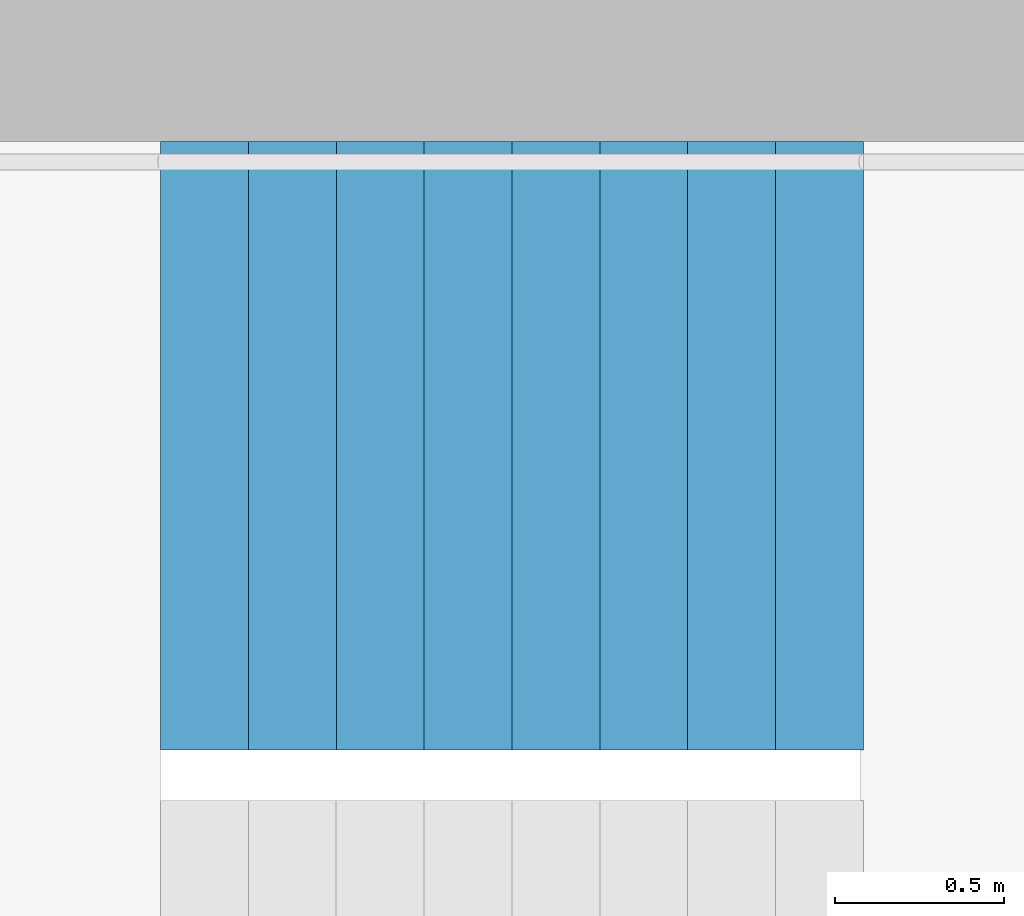
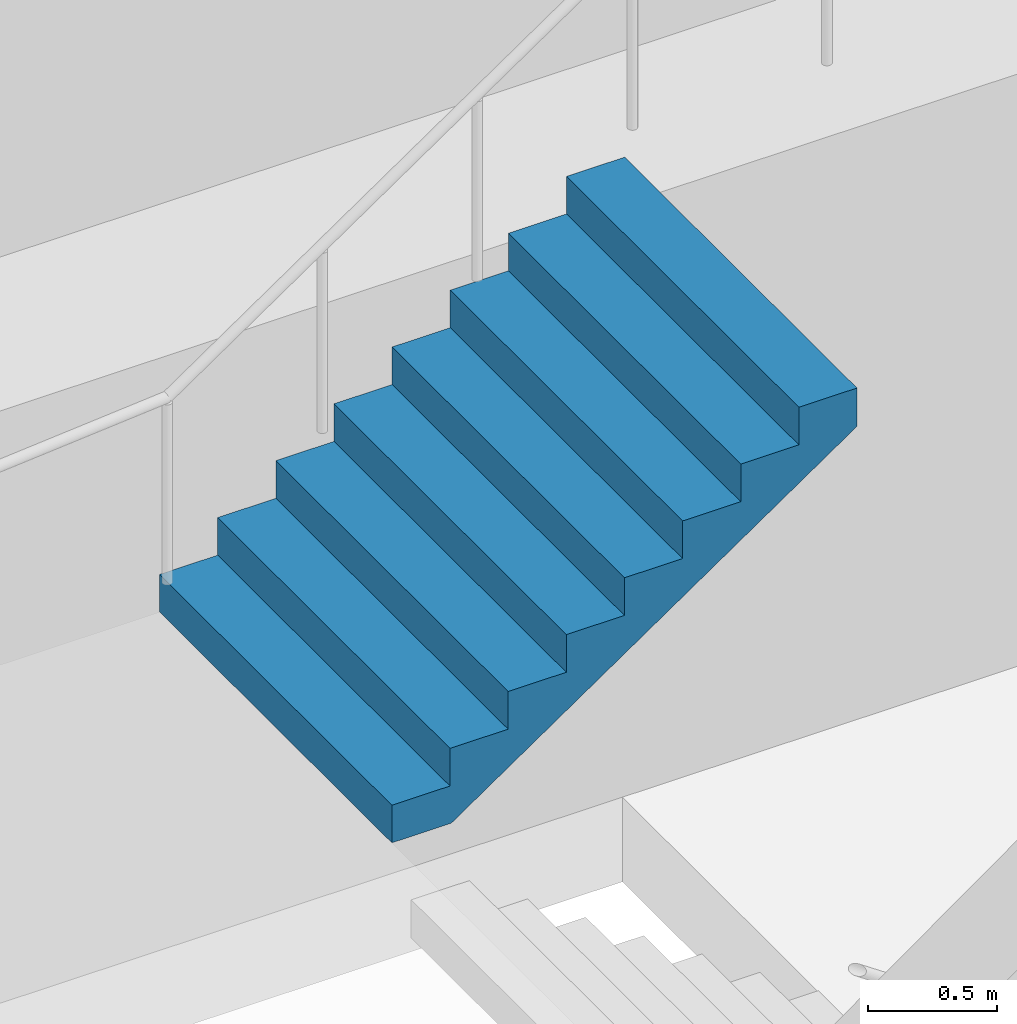
# One storey, part 28 of 29: 1 stair flight, 1 element without a shape of its own.
"""IFC4 building model written with IfcOpenShell, lengths in metres."""

from ifc_helpers import new_model, si_unit, direction, frame, origin, place, context, subcontext, project, spatial, triangles, material, type_object, element, aggregate, save


model = new_model("IFC4")

# Units and contexts
model_context = context("Model", 3, precision=1e-05, world=origin(), true_north=direction((0.0, 1.0)))
body_context = subcontext(model_context, "Body", "Model", "MODEL_VIEW")
ifc_project = project(units=[si_unit("LENGTHUNIT", "METRE"), si_unit("AREAUNIT", "SQUARE_METRE"), si_unit("VOLUMEUNIT", "CUBIC_METRE"), si_unit("PLANEANGLEUNIT", "RADIAN"), si_unit("MASSUNIT", "GRAM", prefix="KILO")], contexts=[model_context])

# Site, building, storey
site_placement = place(None, origin())
site = spatial("IfcSite", under=ifc_project, at=site_placement, CompositionType="ELEMENT")
building_placement = place(site_placement, origin())
building = spatial("IfcBuilding", under=site, at=building_placement, Name="Hakoniwa Tower and Hamabe Station Hall", CompositionType="ELEMENT")
storey_placement = place(building_placement, frame((0.0, 0.0, 29.39990234375)))
storey = spatial("IfcBuildingStorey", under=building, at=storey_placement, Name="L07", CompositionType="ELEMENT", Elevation=29.39990234375)

# Stair, stair flight
ifc_material_1 = material(Name="Concrete C40", Category="concrete")
stair_type = type_object("IfcStairType", Name="ESCAPE STAIR 1800", PredefinedType="HALF_TURN_STAIR", material=ifc_material_1)
stair_placement = place(storey_placement, origin())
stair = element("IfcStair", 1, at=stair_placement, inside=storey, type_object=stair_type, Name="Escape stair ST-3 L07", PredefinedType="HALF_TURN_STAIR")
ifc_material_2 = material(Name="Concrete C40", Category="concrete")
stair_flight_type = type_object("IfcStairFlightType", Name="STAIR FLIGHT 1800", PredefinedType="STRAIGHT", material=ifc_material_2)
stair_flight_placement = place(storey_placement, frame((22.320068359375, 6.60009765625, 1.60009765625), z_axis=(0.0, 0.0, 1.0), x_axis=(1.0, 0.0, 0.0)))
stair_flight = element("IfcStairFlight", 2, at=stair_flight_placement, type_object=stair_flight_type, Name="ST-3 flight 2", NumberOfRisers=9, NumberOfTreads=8, PredefinedType="STRAIGHT", RiserHeight=0.177777778, TreadLength=0.26, context=body_context, shape_type="Tessellation", body=[
    triangles([(0.0, 0.89990234375, 0.0), (0.260009765625, 0.89990234375, 0.0), (0.265625, 0.89990234375, 0.0), (0.52001953125, 0.89990234375, 0.174072265625), (0.780029296875, 0.89990234375, 0.351806640625), (1.0400390625, 0.89990234375, 0.529541015625), (1.300048828125, 0.89990234375, 0.707275390625), (1.56005859375, 0.89990234375, 0.885009765625), (1.820068359375, 0.89990234375, 1.062744140625), (2.080078125, 0.89990234375, 1.24072265625), (2.080078125, 0.89990234375, 1.422119140625), (1.820068359375, 0.89990234375, 1.422119140625), (1.820068359375, 0.89990234375, 1.244384765625), (1.56005859375, 0.89990234375, 1.244384765625), (1.56005859375, 0.89990234375, 1.066650390625), (1.300048828125, 0.89990234375, 1.066650390625), (1.300048828125, 0.89990234375, 0.888916015625), (1.0400390625, 0.89990234375, 0.888916015625), (1.0400390625, 0.89990234375, 0.711181640625), (0.780029296875, 0.89990234375, 0.711181640625), (0.780029296875, 0.89990234375, 0.533447265625), (0.52001953125, 0.89990234375, 0.533447265625), (0.52001953125, 0.89990234375, 0.35546875), (0.265625, 0.89990234375, 0.35546875), (0.260009765625, 0.89990234375, 0.35546875), (0.260009765625, 0.89990234375, 0.177734375), (0.0, 0.89990234375, 0.177734375), (0.0, 0.06005859375, 0.0), (0.260009765625, 0.06005859375, 0.0), (0.265625, 0.06005859375, 0.0), (0.52001953125, 0.06005859375, 0.174072265625), (0.780029296875, 0.06005859375, 0.351806640625), (1.0400390625, 0.06005859375, 0.529541015625), (1.300048828125, 0.06005859375, 0.707275390625), (1.56005859375, 0.06005859375, 0.885009765625), (1.820068359375, 0.06005859375, 1.062744140625), (2.080078125, 0.06005859375, 1.24072265625), (2.080078125, 0.06005859375, 1.422119140625), (1.820068359375, 0.06005859375, 1.422119140625), (1.820068359375, 0.06005859375, 1.244384765625), (1.56005859375, 0.06005859375, 1.244384765625), (1.56005859375, 0.06005859375, 1.066650390625), (1.300048828125, 0.06005859375, 1.066650390625), (1.300048828125, 0.06005859375, 0.888916015625), (1.0400390625, 0.06005859375, 0.888916015625), (1.0400390625, 0.06005859375, 0.711181640625), (0.780029296875, 0.06005859375, 0.711181640625), (0.780029296875, 0.06005859375, 0.533447265625), (0.52001953125, 0.06005859375, 0.533447265625), (0.52001953125, 0.06005859375, 0.35546875), (0.265625, 0.06005859375, 0.35546875), (0.260009765625, 0.06005859375, 0.35546875), (0.260009765625, 0.06005859375, 0.177734375), (0.0, 0.06005859375, 0.177734375), (0.0, 0.04296875, 0.0), (0.260009765625, 0.04296875, 0.0), (0.265625, 0.04296875, 0.0), (0.52001953125, 0.04296875, 0.174072265625), (0.780029296875, 0.04296875, 0.351806640625), (1.0400390625, 0.04296875, 0.529541015625), (1.300048828125, 0.04296875, 0.707275390625), (1.56005859375, 0.04296875, 0.885009765625), (1.820068359375, 0.04296875, 1.062744140625), (2.080078125, 0.04296875, 1.24072265625), (2.080078125, 0.04296875, 1.422119140625), (1.820068359375, 0.04296875, 1.422119140625), (1.820068359375, 0.04296875, 1.244384765625), (1.56005859375, 0.04296875, 1.244384765625), (1.56005859375, 0.04296875, 1.066650390625), (1.300048828125, 0.04296875, 1.066650390625), (1.300048828125, 0.04296875, 0.888916015625), (1.0400390625, 0.04296875, 0.888916015625), (1.0400390625, 0.04296875, 0.711181640625), (0.780029296875, 0.04296875, 0.711181640625), (0.780029296875, 0.04296875, 0.533447265625), (0.52001953125, 0.04296875, 0.533447265625), (0.52001953125, 0.04296875, 0.35546875), (0.265625, 0.04296875, 0.35546875), (0.260009765625, 0.04296875, 0.35546875), (0.260009765625, 0.04296875, 0.177734375), (0.0, 0.04296875, 0.177734375), (0.0, 0.025634765625, 0.0), (0.260009765625, 0.025634765625, 0.0), (0.265625, 0.025634765625, 0.0), (0.52001953125, 0.025634765625, 0.174072265625), (0.780029296875, 0.025634765625, 0.351806640625), (1.0400390625, 0.025634765625, 0.529541015625), (1.300048828125, 0.025634765625, 0.707275390625), (1.56005859375, 0.025634765625, 0.885009765625), (1.820068359375, 0.025634765625, 1.062744140625), (2.080078125, 0.025634765625, 1.24072265625), (2.080078125, 0.025634765625, 1.422119140625), (1.820068359375, 0.025634765625, 1.422119140625), (1.820068359375, 0.025634765625, 1.244384765625), (1.56005859375, 0.025634765625, 1.244384765625), (1.56005859375, 0.025634765625, 1.066650390625), (1.300048828125, 0.025634765625, 1.066650390625), (1.300048828125, 0.025634765625, 0.888916015625), (1.0400390625, 0.025634765625, 0.888916015625), (1.0400390625, 0.025634765625, 0.711181640625), (0.780029296875, 0.025634765625, 0.711181640625), (0.780029296875, 0.025634765625, 0.533447265625), (0.52001953125, 0.025634765625, 0.533447265625), (0.52001953125, 0.025634765625, 0.35546875), (0.265625, 0.025634765625, 0.35546875), (0.260009765625, 0.025634765625, 0.35546875), (0.260009765625, 0.025634765625, 0.177734375), (0.0, 0.025634765625, 0.177734375), (0.0, 0.008544921875, 0.0), (0.260009765625, 0.008544921875, 0.0), (0.265625, 0.008544921875, 0.0), (0.52001953125, 0.008544921875, 0.174072265625), (0.780029296875, 0.008544921875, 0.351806640625), (1.0400390625, 0.008544921875, 0.529541015625), (1.300048828125, 0.008544921875, 0.707275390625), (1.56005859375, 0.008544921875, 0.885009765625), (1.820068359375, 0.008544921875, 1.062744140625), (2.080078125, 0.008544921875, 1.24072265625), (2.080078125, 0.008544921875, 1.422119140625), (1.820068359375, 0.008544921875, 1.422119140625), (1.820068359375, 0.008544921875, 1.244384765625), (1.56005859375, 0.008544921875, 1.244384765625), (1.56005859375, 0.008544921875, 1.066650390625), (1.300048828125, 0.008544921875, 1.066650390625), (1.300048828125, 0.008544921875, 0.888916015625), (1.0400390625, 0.008544921875, 0.888916015625), (1.0400390625, 0.008544921875, 0.711181640625), (0.780029296875, 0.008544921875, 0.711181640625), (0.780029296875, 0.008544921875, 0.533447265625), (0.52001953125, 0.008544921875, 0.533447265625), (0.52001953125, 0.008544921875, 0.35546875), (0.265625, 0.008544921875, 0.35546875), (0.260009765625, 0.008544921875, 0.35546875), (0.260009765625, 0.008544921875, 0.177734375), (0.0, 0.008544921875, 0.177734375), (0.0, -0.008544921875, 0.0), (0.260009765625, -0.008544921875, 0.0), (0.265625, -0.008544921875, 0.0), (0.52001953125, -0.008544921875, 0.174072265625), (0.780029296875, -0.008544921875, 0.351806640625), (1.0400390625, -0.008544921875, 0.529541015625), (1.300048828125, -0.008544921875, 0.707275390625), (1.56005859375, -0.008544921875, 0.885009765625), (1.820068359375, -0.008544921875, 1.062744140625), (2.080078125, -0.008544921875, 1.24072265625), (2.080078125, -0.008544921875, 1.422119140625), (1.820068359375, -0.008544921875, 1.422119140625), (1.820068359375, -0.008544921875, 1.244384765625), (1.56005859375, -0.008544921875, 1.244384765625), (1.56005859375, -0.008544921875, 1.066650390625), (1.300048828125, -0.008544921875, 1.066650390625), (1.300048828125, -0.008544921875, 0.888916015625), (1.0400390625, -0.008544921875, 0.888916015625), (1.0400390625, -0.008544921875, 0.711181640625), (0.780029296875, -0.008544921875, 0.711181640625), (0.780029296875, -0.008544921875, 0.533447265625), (0.52001953125, -0.008544921875, 0.533447265625), (0.52001953125, -0.008544921875, 0.35546875), (0.265625, -0.008544921875, 0.35546875), (0.260009765625, -0.008544921875, 0.35546875), (0.260009765625, -0.008544921875, 0.177734375), (0.0, -0.008544921875, 0.177734375), (0.0, -0.025634765625, 0.0), (0.260009765625, -0.025634765625, 0.0), (0.265625, -0.025634765625, 0.0), (0.52001953125, -0.025634765625, 0.174072265625), (0.780029296875, -0.025634765625, 0.351806640625), (1.0400390625, -0.025634765625, 0.529541015625), (1.300048828125, -0.025634765625, 0.707275390625), (1.56005859375, -0.025634765625, 0.885009765625), (1.820068359375, -0.025634765625, 1.062744140625), (2.080078125, -0.025634765625, 1.24072265625), (2.080078125, -0.025634765625, 1.422119140625), (1.820068359375, -0.025634765625, 1.422119140625), (1.820068359375, -0.025634765625, 1.244384765625), (1.56005859375, -0.025634765625, 1.244384765625), (1.56005859375, -0.025634765625, 1.066650390625), (1.300048828125, -0.025634765625, 1.066650390625), (1.300048828125, -0.025634765625, 0.888916015625), (1.0400390625, -0.025634765625, 0.888916015625), (1.0400390625, -0.025634765625, 0.711181640625), (0.780029296875, -0.025634765625, 0.711181640625), (0.780029296875, -0.025634765625, 0.533447265625), (0.52001953125, -0.025634765625, 0.533447265625), (0.52001953125, -0.025634765625, 0.35546875), (0.265625, -0.025634765625, 0.35546875), (0.260009765625, -0.025634765625, 0.35546875), (0.260009765625, -0.025634765625, 0.177734375), (0.0, -0.025634765625, 0.177734375), (0.0, -0.04296875, 0.0), (0.260009765625, -0.04296875, 0.0), (0.265625, -0.04296875, 0.0), (0.52001953125, -0.04296875, 0.174072265625), (0.780029296875, -0.04296875, 0.351806640625), (1.0400390625, -0.04296875, 0.529541015625), (1.300048828125, -0.04296875, 0.707275390625), (1.56005859375, -0.04296875, 0.885009765625), (1.820068359375, -0.04296875, 1.062744140625), (2.080078125, -0.04296875, 1.24072265625), (2.080078125, -0.04296875, 1.422119140625), (1.820068359375, -0.04296875, 1.422119140625), (1.820068359375, -0.04296875, 1.244384765625), (1.56005859375, -0.04296875, 1.244384765625), (1.56005859375, -0.04296875, 1.066650390625), (1.300048828125, -0.04296875, 1.066650390625), (1.300048828125, -0.04296875, 0.888916015625), (1.0400390625, -0.04296875, 0.888916015625), (1.0400390625, -0.04296875, 0.711181640625), (0.780029296875, -0.04296875, 0.711181640625), (0.780029296875, -0.04296875, 0.533447265625), (0.52001953125, -0.04296875, 0.533447265625), (0.52001953125, -0.04296875, 0.35546875), (0.265625, -0.04296875, 0.35546875), (0.260009765625, -0.04296875, 0.35546875), (0.260009765625, -0.04296875, 0.177734375), (0.0, -0.04296875, 0.177734375), (0.0, -0.06005859375, 0.0), (0.260009765625, -0.06005859375, 0.0), (0.265625, -0.06005859375, 0.0), (0.52001953125, -0.06005859375, 0.174072265625), (0.780029296875, -0.06005859375, 0.351806640625), (1.0400390625, -0.06005859375, 0.529541015625), (1.300048828125, -0.06005859375, 0.707275390625), (1.56005859375, -0.06005859375, 0.885009765625), (1.820068359375, -0.06005859375, 1.062744140625), (2.080078125, -0.06005859375, 1.24072265625), (2.080078125, -0.06005859375, 1.422119140625), (1.820068359375, -0.06005859375, 1.422119140625), (1.820068359375, -0.06005859375, 1.244384765625), (1.56005859375, -0.06005859375, 1.244384765625), (1.56005859375, -0.06005859375, 1.066650390625), (1.300048828125, -0.06005859375, 1.066650390625), (1.300048828125, -0.06005859375, 0.888916015625), (1.0400390625, -0.06005859375, 0.888916015625), (1.0400390625, -0.06005859375, 0.711181640625), (0.780029296875, -0.06005859375, 0.711181640625), (0.780029296875, -0.06005859375, 0.533447265625), (0.52001953125, -0.06005859375, 0.533447265625), (0.52001953125, -0.06005859375, 0.35546875), (0.265625, -0.06005859375, 0.35546875), (0.260009765625, -0.06005859375, 0.35546875), (0.260009765625, -0.06005859375, 0.177734375), (0.0, -0.06005859375, 0.177734375), (0.0, -0.89990234375, 0.0), (0.260009765625, -0.89990234375, 0.0), (0.265625, -0.89990234375, 0.0), (0.52001953125, -0.89990234375, 0.174072265625), (0.780029296875, -0.89990234375, 0.351806640625), (1.0400390625, -0.89990234375, 0.529541015625), (1.300048828125, -0.89990234375, 0.707275390625), (1.56005859375, -0.89990234375, 0.885009765625), (1.820068359375, -0.89990234375, 1.062744140625), (2.080078125, -0.89990234375, 1.24072265625), (2.080078125, -0.89990234375, 1.422119140625), (1.820068359375, -0.89990234375, 1.422119140625), (1.820068359375, -0.89990234375, 1.244384765625), (1.56005859375, -0.89990234375, 1.244384765625), (1.56005859375, -0.89990234375, 1.066650390625), (1.300048828125, -0.89990234375, 1.066650390625), (1.300048828125, -0.89990234375, 0.888916015625), (1.0400390625, -0.89990234375, 0.888916015625), (1.0400390625, -0.89990234375, 0.711181640625), (0.780029296875, -0.89990234375, 0.711181640625), (0.780029296875, -0.89990234375, 0.533447265625), (0.52001953125, -0.89990234375, 0.533447265625), (0.52001953125, -0.89990234375, 0.35546875), (0.265625, -0.89990234375, 0.35546875), (0.260009765625, -0.89990234375, 0.35546875), (0.260009765625, -0.89990234375, 0.177734375), (0.0, -0.89990234375, 0.177734375)], [[2, 27, 26], [245, 269, 270], [2, 1, 27], [245, 270, 244], [3, 25, 24], [246, 267, 268], [3, 26, 25], [246, 268, 269], [3, 2, 26], [246, 269, 245], [4, 24, 23], [247, 266, 267], [4, 3, 24], [247, 267, 246], [5, 22, 21], [248, 264, 265], [5, 23, 22], [248, 265, 266], [5, 4, 23], [248, 266, 247], [6, 20, 19], [249, 262, 263], [6, 21, 20], [249, 263, 264], [6, 5, 21], [249, 264, 248], [7, 18, 17], [250, 260, 261], [7, 19, 18], [250, 261, 262], [7, 6, 19], [250, 262, 249], [8, 16, 15], [251, 258, 259], [8, 17, 16], [251, 259, 260], [8, 7, 17], [251, 260, 250], [9, 14, 13], [252, 256, 257], [9, 15, 14], [252, 257, 258], [9, 8, 15], [252, 258, 251], [10, 12, 11], [253, 254, 255], [10, 13, 12], [253, 255, 256], [10, 9, 13], [253, 256, 252], [1, 2, 29], [1, 29, 28], [28, 29, 56], [28, 56, 55], [55, 56, 83], [55, 83, 82], [82, 83, 110], [82, 110, 109], [109, 110, 137], [109, 137, 136], [136, 137, 164], [136, 164, 163], [163, 164, 191], [163, 191, 190], [190, 191, 218], [190, 218, 217], [217, 218, 245], [217, 245, 244], [2, 3, 30], [2, 30, 29], [29, 30, 57], [29, 57, 56], [56, 57, 84], [56, 84, 83], [83, 84, 111], [83, 111, 110], [110, 111, 138], [110, 138, 137], [137, 138, 165], [137, 165, 164], [164, 165, 192], [164, 192, 191], [191, 192, 219], [191, 219, 218], [218, 219, 246], [218, 246, 245], [3, 4, 31], [3, 31, 30], [30, 31, 58], [30, 58, 57], [57, 58, 85], [57, 85, 84], [84, 85, 112], [84, 112, 111], [111, 112, 139], [111, 139, 138], [138, 139, 166], [138, 166, 165], [165, 166, 193], [165, 193, 192], [192, 193, 220], [192, 220, 219], [219, 220, 247], [219, 247, 246], [4, 5, 32], [4, 32, 31], [31, 32, 59], [31, 59, 58], [58, 59, 86], [58, 86, 85], [85, 86, 113], [85, 113, 112], [112, 113, 140], [112, 140, 139], [139, 140, 167], [139, 167, 166], [166, 167, 194], [166, 194, 193], [193, 194, 221], [193, 221, 220], [220, 221, 248], [220, 248, 247], [5, 6, 33], [5, 33, 32], [32, 33, 60], [32, 60, 59], [59, 60, 87], [59, 87, 86], [86, 87, 114], [86, 114, 113], [113, 114, 141], [113, 141, 140], [140, 141, 168], [140, 168, 167], [167, 168, 195], [167, 195, 194], [194, 195, 222], [194, 222, 221], [221, 222, 249], [221, 249, 248], [6, 7, 34], [6, 34, 33], [33, 34, 61], [33, 61, 60], [60, 61, 88], [60, 88, 87], [87, 88, 115], [87, 115, 114], [114, 115, 142], [114, 142, 141], [141, 142, 169], [141, 169, 168], [168, 169, 196], [168, 196, 195], [195, 196, 223], [195, 223, 222], [222, 223, 250], [222, 250, 249], [7, 8, 35], [7, 35, 34], [34, 35, 62], [34, 62, 61], [61, 62, 89], [61, 89, 88], [88, 89, 116], [88, 116, 115], [115, 116, 143], [115, 143, 142], [142, 143, 170], [142, 170, 169], [169, 170, 197], [169, 197, 196], [196, 197, 224], [196, 224, 223], [223, 224, 251], [223, 251, 250], [8, 9, 36], [8, 36, 35], [35, 36, 63], [35, 63, 62], [62, 63, 90], [62, 90, 89], [89, 90, 117], [89, 117, 116], [116, 117, 144], [116, 144, 143], [143, 144, 171], [143, 171, 170], [170, 171, 198], [170, 198, 197], [197, 198, 225], [197, 225, 224], [224, 225, 252], [224, 252, 251], [9, 10, 37], [9, 37, 36], [36, 37, 64], [36, 64, 63], [63, 64, 91], [63, 91, 90], [90, 91, 118], [90, 118, 117], [117, 118, 145], [117, 145, 144], [144, 145, 172], [144, 172, 171], [171, 172, 199], [171, 199, 198], [198, 199, 226], [198, 226, 225], [225, 226, 253], [225, 253, 252], [10, 11, 38], [10, 38, 37], [37, 38, 65], [37, 65, 64], [64, 65, 92], [64, 92, 91], [91, 92, 119], [91, 119, 118], [118, 119, 146], [118, 146, 145], [145, 146, 173], [145, 173, 172], [172, 173, 200], [172, 200, 199], [199, 200, 227], [199, 227, 226], [226, 227, 254], [226, 254, 253], [11, 12, 39], [11, 39, 38], [38, 39, 66], [38, 66, 65], [65, 66, 93], [65, 93, 92], [92, 93, 120], [92, 120, 119], [119, 120, 147], [119, 147, 146], [146, 147, 174], [146, 174, 173], [173, 174, 201], [173, 201, 200], [200, 201, 228], [200, 228, 227], [227, 228, 255], [227, 255, 254], [12, 13, 40], [12, 40, 39], [39, 40, 67], [39, 67, 66], [66, 67, 94], [66, 94, 93], [93, 94, 121], [93, 121, 120], [120, 121, 148], [120, 148, 147], [147, 148, 175], [147, 175, 174], [174, 175, 202], [174, 202, 201], [201, 202, 229], [201, 229, 228], [228, 229, 256], [228, 256, 255], [13, 14, 41], [13, 41, 40], [40, 41, 68], [40, 68, 67], [67, 68, 95], [67, 95, 94], [94, 95, 122], [94, 122, 121], [121, 122, 149], [121, 149, 148], [148, 149, 176], [148, 176, 175], [175, 176, 203], [175, 203, 202], [202, 203, 230], [202, 230, 229], [229, 230, 257], [229, 257, 256], [14, 15, 42], [14, 42, 41], [41, 42, 69], [41, 69, 68], [68, 69, 96], [68, 96, 95], [95, 96, 123], [95, 123, 122], [122, 123, 150], [122, 150, 149], [149, 150, 177], [149, 177, 176], [176, 177, 204], [176, 204, 203], [203, 204, 231], [203, 231, 230], [230, 231, 258], [230, 258, 257], [15, 16, 43], [15, 43, 42], [42, 43, 70], [42, 70, 69], [69, 70, 97], [69, 97, 96], [96, 97, 124], [96, 124, 123], [123, 124, 151], [123, 151, 150], [150, 151, 178], [150, 178, 177], [177, 178, 205], [177, 205, 204], [204, 205, 232], [204, 232, 231], [231, 232, 259], [231, 259, 258], [16, 17, 44], [16, 44, 43], [43, 44, 71], [43, 71, 70], [70, 71, 98], [70, 98, 97], [97, 98, 125], [97, 125, 124], [124, 125, 152], [124, 152, 151], [151, 152, 179], [151, 179, 178], [178, 179, 206], [178, 206, 205], [205, 206, 233], [205, 233, 232], [232, 233, 260], [232, 260, 259], [17, 18, 45], [17, 45, 44], [44, 45, 72], [44, 72, 71], [71, 72, 99], [71, 99, 98], [98, 99, 126], [98, 126, 125], [125, 126, 153], [125, 153, 152], [152, 153, 180], [152, 180, 179], [179, 180, 207], [179, 207, 206], [206, 207, 234], [206, 234, 233], [233, 234, 261], [233, 261, 260], [18, 19, 46], [18, 46, 45], [45, 46, 73], [45, 73, 72], [72, 73, 100], [72, 100, 99], [99, 100, 127], [99, 127, 126], [126, 127, 154], [126, 154, 153], [153, 154, 181], [153, 181, 180], [180, 181, 208], [180, 208, 207], [207, 208, 235], [207, 235, 234], [234, 235, 262], [234, 262, 261], [19, 20, 47], [19, 47, 46], [46, 47, 74], [46, 74, 73], [73, 74, 101], [73, 101, 100], [100, 101, 128], [100, 128, 127], [127, 128, 155], [127, 155, 154], [154, 155, 182], [154, 182, 181], [181, 182, 209], [181, 209, 208], [208, 209, 236], [208, 236, 235], [235, 236, 263], [235, 263, 262], [20, 21, 48], [20, 48, 47], [47, 48, 75], [47, 75, 74], [74, 75, 102], [74, 102, 101], [101, 102, 129], [101, 129, 128], [128, 129, 156], [128, 156, 155], [155, 156, 183], [155, 183, 182], [182, 183, 210], [182, 210, 209], [209, 210, 237], [209, 237, 236], [236, 237, 264], [236, 264, 263], [21, 22, 49], [21, 49, 48], [48, 49, 76], [48, 76, 75], [75, 76, 103], [75, 103, 102], [102, 103, 130], [102, 130, 129], [129, 130, 157], [129, 157, 156], [156, 157, 184], [156, 184, 183], [183, 184, 211], [183, 211, 210], [210, 211, 238], [210, 238, 237], [237, 238, 265], [237, 265, 264], [22, 23, 50], [22, 50, 49], [49, 50, 77], [49, 77, 76], [76, 77, 104], [76, 104, 103], [103, 104, 131], [103, 131, 130], [130, 131, 158], [130, 158, 157], [157, 158, 185], [157, 185, 184], [184, 185, 212], [184, 212, 211], [211, 212, 239], [211, 239, 238], [238, 239, 266], [238, 266, 265], [23, 24, 51], [23, 51, 50], [50, 51, 78], [50, 78, 77], [77, 78, 105], [77, 105, 104], [104, 105, 132], [104, 132, 131], [131, 132, 159], [131, 159, 158], [158, 159, 186], [158, 186, 185], [185, 186, 213], [185, 213, 212], [212, 213, 240], [212, 240, 239], [239, 240, 267], [239, 267, 266], [24, 25, 52], [24, 52, 51], [51, 52, 79], [51, 79, 78], [78, 79, 106], [78, 106, 105], [105, 106, 133], [105, 133, 132], [132, 133, 160], [132, 160, 159], [159, 160, 187], [159, 187, 186], [186, 187, 214], [186, 214, 213], [213, 214, 241], [213, 241, 240], [240, 241, 268], [240, 268, 267], [25, 26, 53], [25, 53, 52], [52, 53, 80], [52, 80, 79], [79, 80, 107], [79, 107, 106], [106, 107, 134], [106, 134, 133], [133, 134, 161], [133, 161, 160], [160, 161, 188], [160, 188, 187], [187, 188, 215], [187, 215, 214], [214, 215, 242], [214, 242, 241], [241, 242, 269], [241, 269, 268], [26, 27, 54], [26, 54, 53], [53, 54, 81], [53, 81, 80], [80, 81, 108], [80, 108, 107], [107, 108, 135], [107, 135, 134], [134, 135, 162], [134, 162, 161], [161, 162, 189], [161, 189, 188], [188, 189, 216], [188, 216, 215], [215, 216, 243], [215, 243, 242], [242, 243, 270], [242, 270, 269], [27, 1, 28], [27, 28, 54], [54, 28, 55], [54, 55, 81], [81, 55, 82], [81, 82, 108], [108, 82, 109], [108, 109, 135], [135, 109, 136], [135, 136, 162], [162, 136, 163], [162, 163, 189], [189, 163, 190], [189, 190, 216], [216, 190, 217], [216, 217, 243], [243, 217, 244], [243, 244, 270]], closed=True),
])
aggregate(stair, [stair_flight])

save(model, "model.ifc")
